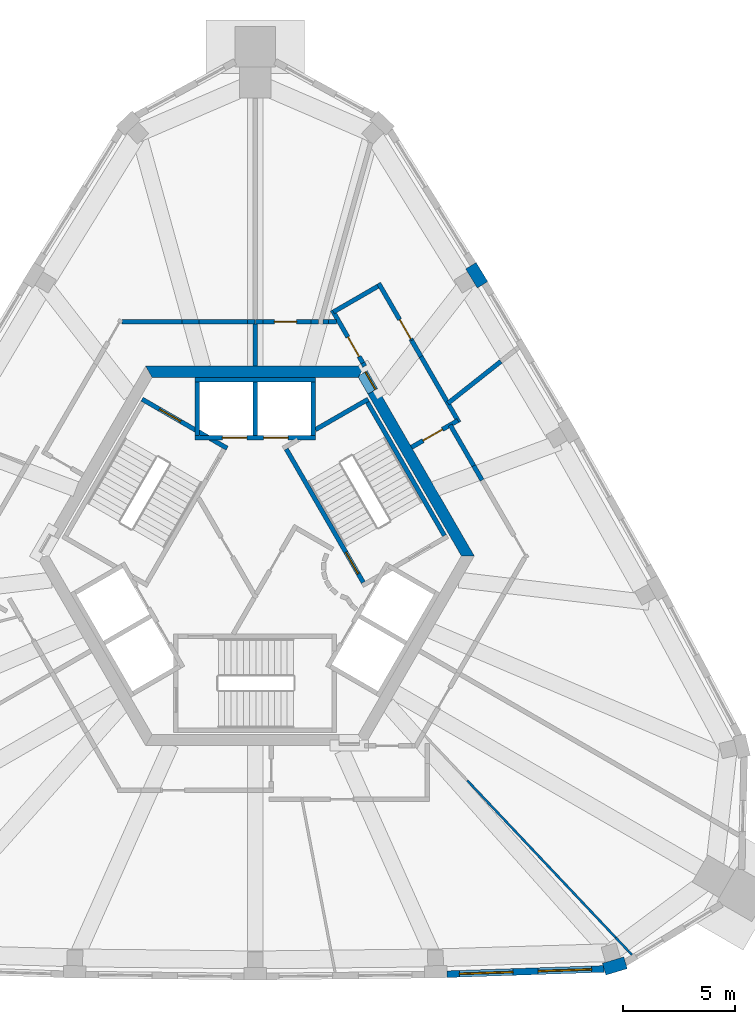
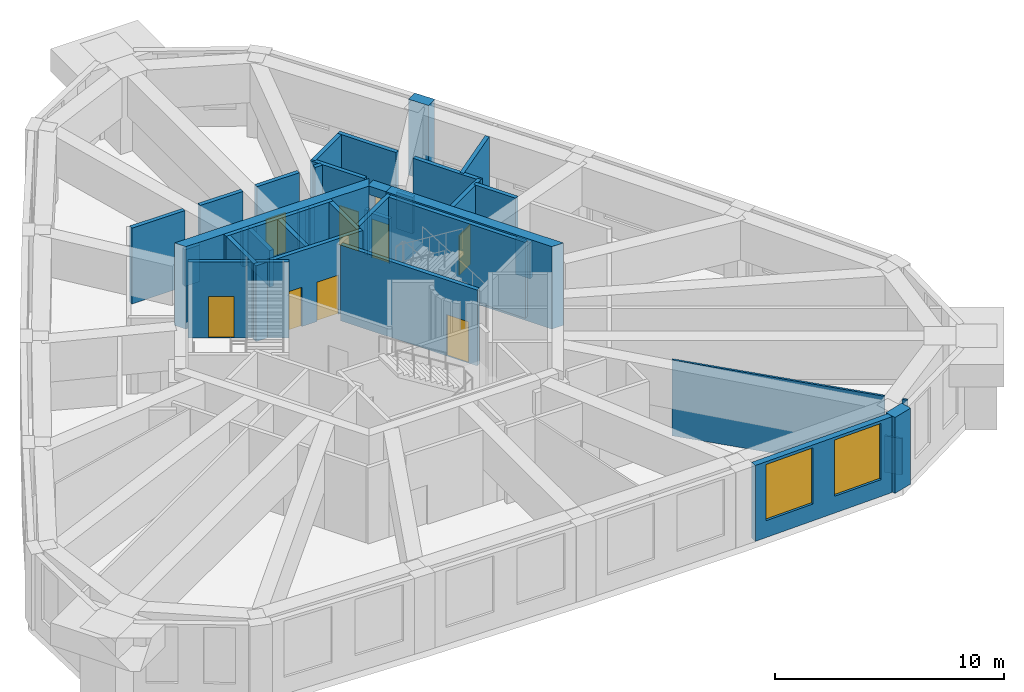
# One storey, part 5 of 9: 39 walls, 9 doors, 2 windows, 11 openings.
"""IFC4 building model written with IfcOpenShell, lengths in metres."""

from ifc_helpers import new_model, si_unit, direction, frame, frame_2d, origin, place, context, subcontext, project, spatial, polyline, rectangle, outline, extrude, material, layer, layer_set, type_object, element, fill, save


model = new_model("IFC4")

# Units and contexts
model_context = context("Model", 3, precision=1e-05, world=origin(), true_north=direction((0.0, 1.0)))
body_context = subcontext(model_context, "Body", "Model", "MODEL_VIEW")
ifc_project = project(units=[si_unit("LENGTHUNIT", "METRE"), si_unit("AREAUNIT", "SQUARE_METRE"), si_unit("VOLUMEUNIT", "CUBIC_METRE"), si_unit("PLANEANGLEUNIT", "RADIAN"), si_unit("MASSUNIT", "GRAM", prefix="KILO")], contexts=[model_context])

# Site, building, storey
site_placement = place(None, origin())
site = spatial("IfcSite", under=ifc_project, at=site_placement, CompositionType="ELEMENT")
building_placement = place(site_placement, origin())
building = spatial("IfcBuilding", under=site, at=building_placement, Name="Entoto Arch Interchange Tower", CompositionType="ELEMENT")
storey_placement = place(building_placement, frame((0.0, 0.0, 335.89990234375)))
storey = spatial("IfcBuildingStorey", under=building, at=storey_placement, Name="L79", CompositionType="ELEMENT", Elevation=335.89990234375)

# Wall, opening, door
ifc_material_1 = material(Name="Reinforced concrete C40/50", Category="concrete")
ifc_layer_1 = layer(ifc_material_1, 0.199951171875)
ifc_layer_set_1 = layer_set([ifc_layer_1], Name="Reinforced concrete C40/50")
wall_type_1 = type_object("IfcWallType", Name="CORE GAP INFILL WALL", PredefinedType="PARTITIONING", material=ifc_layer_set_1)
wall_1_placement = place(storey_placement, frame((5.39892578125, 9.947998046875, 0.0), z_axis=(0.0, 0.0, 1.0), x_axis=(-0.499882215713, 0.866093395895, 0.0)))
wall_1 = element("IfcWall", 1, at=wall_1_placement, inside=storey, type_object=wall_type_1, Name="wall:L79:gap2", PredefinedType="PARTITIONING", context=body_context, shape_type="SweptSolid", body=[
    extrude(rectangle(XDim=0.926025390625, YDim=0.199951171875, at=frame_2d((0.462890625, 0.0))), origin(), (0.0, 0.0, 1.0), 2.400146484375),
])
opening_1_placement = place(wall_1_placement, frame((0.01708984375, 0.0, 0.0)))
opening_1 = element("IfcOpeningElement", 2, at=opening_1_placement, cuts=wall_1, Name="Opening L79-D92", PredefinedType="OPENING", context=body_context, shape_type="SweptSolid", body=[
    extrude(rectangle(XDim=0.89990234375, YDim=2.10009765625, at=frame_2d((0.449951171875, 1.050048828125))), frame((0.0, 0.10986328125, 0.0), z_axis=(0.0, -1.0, 0.0), x_axis=(1.0, 0.0, 0.0)), (0.0, 0.0, 1.0), 0.219970703125),
])
ifc_material_2 = material(Name="Fire-rated Steel S235 door and frame", Category="steel")
door_type_1 = type_object("IfcDoorType", Name="DOOR FD-09 900x2100", OperationType="SINGLE_SWING_LEFT", PredefinedType="DOOR", material=ifc_material_2)
door_1_placement = place(opening_1_placement, origin())
door_1 = element("IfcDoor", 3, at=door_1_placement, inside=storey, type_object=door_type_1, Name="door:L79:gap2", OperationType="SINGLE_SWING_LEFT", OverallHeight=2.10009765625, OverallWidth=0.89990234375, PredefinedType="DOOR", context=body_context, shape_type="SweptSolid", body=[
    extrude(rectangle(XDim=0.89990234375, YDim=2.10009765625, at=frame_2d((0.449951171875, 1.050048828125))), frame((0.0, 0.02490234375, 0.0), z_axis=(0.0, -1.0, 0.0), x_axis=(1.0, 0.0, 0.0)), (0.0, 0.0, 1.0), 0.050048828125),
])
fill(opening_1, door_1)

# Walls
ifc_material_3 = material(Name="Concrete C40/50", Category="concrete")
ifc_layer_2 = layer(ifc_material_3, 0.5)
ifc_layer_set_2 = layer_set([ifc_layer_2], Name="Concrete C40/50")
wall_type_2 = type_object("IfcWallType", Name="Core wall 500 C40/50", PredefinedType="SHEAR", material=ifc_layer_set_2)
wall_2_placement = place(storey_placement, frame((0.0, 0.0, -0.349853515625)))
element("IfcWall", 4, at=wall_2_placement, inside=storey, type_object=wall_type_2, Name="Core wall NE L79", PredefinedType="SHEAR", context=body_context, shape_type="SweptSolid", body=[
    extrude(outline(polyline([(5.486083984375, 9.998046875), (5.052978515625, 9.748046875), (9.238037109375, 2.5), (9.81494140625, 2.5), (5.486083984375, 9.998046875)])), origin(), (0.0, 0.0, 1.0), 4.39990234375),
])
wall_3_placement = place(storey_placement, frame((0.0, 0.0, 3.60009765625)))
element("IfcWall", 5, at=wall_3_placement, inside=storey, type_object=wall_type_2, Name="Core wall lintel NE L79", PredefinedType="SHEAR", context=body_context, shape_type="SweptSolid", body=[
    extrude(outline(polyline([(5.02197265625, 10.800048828125), (4.677001953125, 10.60107421875), (4.618896484375, 10.5), (5.052978515625, 9.748046875), (5.486083984375, 9.998046875), (5.02197265625, 10.800048828125)])), origin(), (0.0, 0.0, 1.0), 0.449951171875),
])
wall_4_placement = place(storey_placement, frame((0.0, 0.0, -0.349853515625)))
element("IfcWall", 6, at=wall_4_placement, inside=storey, type_object=wall_type_2, Name="Core wall N L79", PredefinedType="SHEAR", context=body_context, shape_type="SweptSolid", body=[
    extrude(outline(polyline([(4.906982421875, 11.0), (-4.906982421875, 11.0), (-4.618896484375, 10.5), (4.618896484375, 10.5), (4.906982421875, 11.0)])), origin(), (0.0, 0.0, 1.0), 4.39990234375),
])

# Wall, openings, doors
ifc_layer_3 = layer(ifc_material_3, 0.199951171875)
ifc_layer_set_3 = layer_set([ifc_layer_3], Name="Concrete C40/50")
wall_type_3 = type_object("IfcWallType", Name="LIFT SHAFT WALL 200", PredefinedType="STANDARD", material=ifc_layer_set_3)
wall_5_placement = place(storey_placement, frame((2.699951171875, 7.800048828125, 0.0), z_axis=(0.0, 0.0, 1.0), x_axis=(-1.0, 0.0, 0.0)))
wall_5 = element("IfcWall", 7, at=wall_5_placement, inside=storey, type_object=wall_type_3, Name="Shaft wall N1 front", PredefinedType="STANDARD", context=body_context, shape_type="SweptSolid", body=[
    extrude(rectangle(XDim=5.39990234375, YDim=0.199951171875, at=frame_2d((2.699951171875, 0.0))), origin(), (0.0, 0.0, 1.0), 4.050048828125),
])
opening_2_placement = place(wall_5_placement, frame((1.22509765625, 0.0, 0.0)))
opening_2 = element("IfcOpeningElement", 8, at=opening_2_placement, cuts=wall_5, Name="Opening LD-HR1-L79", PredefinedType="OPENING", context=body_context, shape_type="SweptSolid", body=[
    extrude(rectangle(XDim=1.10009765625, YDim=2.10009765625, at=frame_2d((0.550048828125, 1.050048828125))), frame((0.0, 0.10986328125, 0.0), z_axis=(0.0, -1.0, 0.0), x_axis=(1.0, 0.0, 0.0)), (0.0, 0.0, 1.0), 0.219970703125),
])
opening_3_placement = place(wall_5_placement, frame((3.074951171875, 0.0, 0.0)))
opening_3 = element("IfcOpeningElement", 9, at=opening_3_placement, cuts=wall_5, Name="Opening LD-HR2-L79", PredefinedType="OPENING", context=body_context, shape_type="SweptSolid", body=[
    extrude(rectangle(XDim=1.10009765625, YDim=2.10009765625, at=frame_2d((0.550048828125, 1.050048828125))), frame((0.0, 0.10986328125, 0.0), z_axis=(0.0, -1.0, 0.0), x_axis=(1.0, 0.0, 0.0)), (0.0, 0.0, 1.0), 0.219970703125),
])
ifc_material_4 = material(Name="Stainless steel 1.4301 panels", Category="steel")
door_type_2 = type_object("IfcDoorType", Name="LIFT LANDING DOOR LD1 1100x2100", OperationType="SLIDING_TO_LEFT", PredefinedType="DOOR", material=ifc_material_4)
door_2_placement = place(opening_2_placement, origin())
door_2 = element("IfcDoor", 10, at=door_2_placement, inside=storey, type_object=door_type_2, Name="Lift landing door HR1 L79", OperationType="SLIDING_TO_LEFT", OverallHeight=2.10009765625, OverallWidth=1.10009765625, PredefinedType="DOOR", context=body_context, shape_type="SweptSolid", body=[
    extrude(rectangle(XDim=1.10009765625, YDim=2.10009765625, at=frame_2d((0.550048828125, 1.050048828125))), frame((0.0, 0.02490234375, 0.0), z_axis=(0.0, -1.0, 0.0), x_axis=(1.0, 0.0, 0.0)), (0.0, 0.0, 1.0), 0.050048828125),
])
fill(opening_2, door_2)
door_3_placement = place(opening_3_placement, origin())
door_3 = element("IfcDoor", 11, at=door_3_placement, inside=storey, type_object=door_type_2, Name="Lift landing door HR2 L79", OperationType="SLIDING_TO_LEFT", OverallHeight=2.10009765625, OverallWidth=1.10009765625, PredefinedType="DOOR", context=body_context, shape_type="SweptSolid", body=[
    extrude(rectangle(XDim=1.10009765625, YDim=2.10009765625, at=frame_2d((0.550048828125, 1.050048828125))), frame((0.0, 0.02490234375, 0.0), z_axis=(0.0, -1.0, 0.0), x_axis=(1.0, 0.0, 0.0)), (0.0, 0.0, 1.0), 0.050048828125),
])
fill(opening_3, door_3)

# Walls
wall_6_placement = place(storey_placement, frame((2.699951171875, 10.39990234375, 0.0), z_axis=(0.0, 0.0, 1.0), x_axis=(-1.0, 0.0, 0.0)))
element("IfcWall", 12, at=wall_6_placement, inside=storey, type_object=wall_type_3, Name="Shaft wall N1 back", PredefinedType="STANDARD", context=body_context, shape_type="SweptSolid", body=[
    extrude(rectangle(XDim=5.39990234375, YDim=0.199951171875, at=frame_2d((2.699951171875, 0.0))), origin(), (0.0, 0.0, 1.0), 4.050048828125),
])
for number, where, z_axis, x_axis, name in (
    (13, (2.60009765625, 7.89990234375, 0.0), (0.0, 0.0, 1.0), (0.0, 1.0, 0.0), "Shaft wall N1 cross 1"),
    (14, (0.0, 7.89990234375, 0.0), (0.0, 0.0, 1.0), (0.0, 1.0, 0.0), "Shaft wall N1 cross 2"),
    (15, (-2.60009765625, 7.89990234375, 0.0), (0.0, 0.0, 1.0), (0.0, 1.0, 0.0), "Shaft wall N1 cross 3"),
):
    element("IfcWall", number, at=place(storey_placement, frame(where, z_axis=z_axis, x_axis=x_axis)), inside=storey, type_object=wall_type_3, Name=name, PredefinedType="STANDARD", context=body_context, shape_type="SweptSolid", body=[
        extrude(rectangle(XDim=2.400146484375, YDim=0.199951171875, at=frame_2d((1.2001953125, 0.0))), origin(), (0.0, 0.0, 1.0), 4.050048828125),
    ])
ifc_material_5 = material(Name="Gypsum board partition on steel studs", Category="steel")
ifc_layer_4 = layer(ifc_material_5, 0.10009765625)
ifc_layer_set_4 = layer_set([ifc_layer_4], Name="Gypsum board partition on steel studs")
wall_type_4 = type_object("IfcWallType", Name="PARTITION 100", PredefinedType="PARTITIONING", material=ifc_layer_set_4)
wall_7_placement = place(storey_placement, frame((9.501953125, -7.56103515625, 0.0), z_axis=(0.0, 0.0, 1.0), x_axis=(0.686701951344, -0.726939082744, 0.0)))
element("IfcWall", 16, at=wall_7_placement, inside=storey, type_object=wall_type_4, Name="wall:L79:p024", PredefinedType="PARTITIONING", context=body_context, shape_type="SweptSolid", body=[
    extrude(rectangle(XDim=9.68994140625, YDim=0.10009765625, at=frame_2d((4.844970703125, 0.0))), origin(), (0.0, 0.0, 1.0), 4.050048828125),
])
wall_8_placement = place(storey_placement, frame((16.156005859375, -14.60498046875, 0.0), z_axis=(0.0, 0.0, 1.0), x_axis=(0.686649854496, -0.726988292423, 0.0)))
element("IfcWall", 17, at=wall_8_placement, inside=storey, type_object=wall_type_4, Name="wall:L79:p024", PredefinedType="PARTITIONING", context=body_context, shape_type="SweptSolid", body=[
    extrude(rectangle(XDim=0.817138671875, YDim=0.10009765625, at=frame_2d((0.40869140625, 0.0))), origin(), (0.0, 0.0, 1.0), 1.9501953125),
])
wall_9_placement = place(storey_placement, frame((16.717041015625, -15.198974609375, 0.0), z_axis=(0.0, 0.0, 1.0), x_axis=(0.684943115963, -0.728596546722, 0.0)))
element("IfcWall", 18, at=wall_9_placement, inside=storey, type_object=wall_type_4, Name="wall:L79:p024", PredefinedType="PARTITIONING", context=body_context, shape_type="SweptSolid", body=[
    extrude(rectangle(XDim=0.23486328125, YDim=0.10009765625, at=frame_2d((0.117431640625, 0.0))), origin(), (0.0, 0.0, 1.0), 4.050048828125),
])

# Wall, opening, door
ifc_layer_5 = layer(ifc_material_5, 0.199951171875)
ifc_layer_set_5 = layer_set([ifc_layer_5], Name="Gypsum board partition on steel studs")
wall_type_5 = type_object("IfcWallType", Name="PARTITION 200", PredefinedType="PARTITIONING", material=ifc_layer_set_5)
wall_10_placement = place(storey_placement, frame((9.08203125, 8.568115234375, 0.0), z_axis=(0.0, 0.0, 1.0), x_axis=(-0.865955154139, -0.50012165622, 0.0)))
wall_10 = element("IfcWall", 19, at=wall_10_placement, inside=storey, type_object=wall_type_5, Name="wall:L79:p027", PredefinedType="PARTITIONING", context=body_context, shape_type="SweptSolid", body=[
    extrude(rectangle(XDim=2.39990234375, YDim=0.199951171875, at=frame_2d((1.199951171875, 0.0))), origin(), (0.0, 0.0, 1.0), 4.050048828125),
])
opening_4_placement = place(wall_10_placement, frame((0.800048828125, 0.0, 0.0)))
opening_4 = element("IfcOpeningElement", 20, at=opening_4_placement, cuts=wall_10, Name="Opening L79-D06", PredefinedType="OPENING", context=body_context, shape_type="SweptSolid", body=[
    extrude(rectangle(XDim=1.0, YDim=2.10009765625, at=frame_2d((0.5, 1.050048828125))), frame((0.0, 0.10986328125, 0.0), z_axis=(0.0, -1.0, 0.0), x_axis=(1.0, 0.0, 0.0)), (0.0, 0.0, 1.0), 0.219970703125),
])
door_type_3 = type_object("IfcDoorType", Name="DOOR FD-10 1000x2100", OperationType="SINGLE_SWING_LEFT", PredefinedType="DOOR", material=ifc_material_2)
door_4_placement = place(opening_4_placement, origin())
door_4 = element("IfcDoor", 21, at=door_4_placement, inside=storey, type_object=door_type_3, Name="door:L79:06", OperationType="SINGLE_SWING_LEFT", OverallHeight=2.10009765625, OverallWidth=1.0, PredefinedType="DOOR", context=body_context, shape_type="SweptSolid", body=[
    extrude(rectangle(XDim=1.0, YDim=2.10009765625, at=frame_2d((0.5, 1.050048828125))), frame((0.0, 0.02490234375, 0.0), z_axis=(0.0, -1.0, 0.0), x_axis=(1.0, 0.0, 0.0)), (0.0, 0.0, 1.0), 0.050048828125),
])
fill(opening_4, door_4)

# Wall
wall_11_placement = place(storey_placement, frame((4.906982421875, 11.0, 0.0), z_axis=(0.0, 0.0, 1.0), x_axis=(-0.5004692653, 0.865754303766, 0.0)))
element("IfcWall", 22, at=wall_11_placement, inside=storey, type_object=wall_type_5, Name="wall:L79:p028", PredefinedType="PARTITIONING", context=body_context, shape_type="SweptSolid", body=[
    extrude(rectangle(XDim=0.169677734375, YDim=0.199951171875, at=frame_2d((0.0849609375, 0.0))), origin(), (0.0, 0.0, 1.0), 2.400146484375),
])

# Wall, opening, door
wall_12_placement = place(storey_placement, frame((5.531982421875, 14.717041015625, 0.0), z_axis=(0.0, 0.0, 1.0), x_axis=(0.499955822529, -0.866050908157, 0.0)))
wall_12 = element("IfcWall", 23, at=wall_12_placement, inside=storey, type_object=wall_type_5, Name="wall:L79:p029", PredefinedType="PARTITIONING", context=body_context, shape_type="SweptSolid", body=[
    extrude(rectangle(XDim=2.958251953125, YDim=0.199951171875, at=frame_2d((1.47900390625, 0.0))), origin(), (0.0, 0.0, 1.0), 4.050048828125),
])
opening_5_placement = place(wall_12_placement, frame((1.8798828125, 0.0, 0.0)))
opening_5 = element("IfcOpeningElement", 24, at=opening_5_placement, cuts=wall_12, Name="Opening L79-D08", PredefinedType="OPENING", context=body_context, shape_type="SweptSolid", body=[
    extrude(rectangle(XDim=1.0, YDim=2.10009765625, at=frame_2d((0.5, 1.050048828125))), frame((0.0, 0.10986328125, 0.0), z_axis=(0.0, -1.0, 0.0), x_axis=(1.0, 0.0, 0.0)), (0.0, 0.0, 1.0), 0.219970703125),
])
door_5_placement = place(opening_5_placement, origin())
door_5 = element("IfcDoor", 25, at=door_5_placement, inside=storey, type_object=door_type_3, Name="door:L79:08", OperationType="SINGLE_SWING_LEFT", OverallHeight=2.10009765625, OverallWidth=1.0, PredefinedType="DOOR", context=body_context, shape_type="SweptSolid", body=[
    extrude(rectangle(XDim=1.0, YDim=2.10009765625, at=frame_2d((0.5, 1.050048828125))), frame((0.0, 0.02490234375, 0.0), z_axis=(0.0, -1.0, 0.0), x_axis=(1.0, 0.0, 0.0)), (0.0, 0.0, 1.0), 0.050048828125),
])
fill(opening_5, door_5)

# Walls
wall_13_placement = place(storey_placement, frame((3.50390625, 13.429931640625, 0.0), z_axis=(0.0, 0.0, 1.0), x_axis=(0.865927408828, 0.500169693844, 0.0)))
element("IfcWall", 26, at=wall_13_placement, inside=storey, type_object=wall_type_5, Name="wall:L79:p030", PredefinedType="PARTITIONING", context=body_context, shape_type="SweptSolid", body=[
    extrude(rectangle(XDim=2.299560546875, YDim=0.199951171875, at=frame_2d((1.14990234375, 0.0))), origin(), (0.0, 0.0, 1.0), 4.050048828125),
])
wall_14_placement = place(storey_placement, frame((8.736083984375, 8.367919921875, 0.0), z_axis=(0.0, 0.0, 1.0), x_axis=(0.500206302225, -0.865906262372, 0.0)))
element("IfcWall", 27, at=wall_14_placement, inside=storey, type_object=wall_type_5, Name="wall:L79:p031", PredefinedType="PARTITIONING", context=body_context, shape_type="SweptSolid", body=[
    extrude(rectangle(XDim=2.11083984375, YDim=0.199951171875, at=frame_2d((1.055419921875, 0.0))), origin(), (0.0, 0.0, 1.0), 4.050048828125),
])
wall_15_placement = place(storey_placement, frame((3.0380859375, 13.0, 0.0), z_axis=(0.0, 0.0, 1.0), x_axis=(1.0, 0.0, 0.0)))
element("IfcWall", 28, at=wall_15_placement, inside=storey, type_object=wall_type_5, Name="wall:L79:p033", PredefinedType="PARTITIONING", context=body_context, shape_type="SweptSolid", body=[
    extrude(rectangle(XDim=0.2509765625, YDim=0.199951171875, at=frame_2d((0.12548828125, 0.0))), origin(), (0.0, 0.0, 1.0), 1.9501953125),
])
wall_16_placement = place(storey_placement, frame((0.014892578125, 13.0, 0.0), z_axis=(0.0, 0.0, 1.0), x_axis=(1.0, 0.0, 0.0)))
element("IfcWall", 29, at=wall_16_placement, inside=storey, type_object=wall_type_5, Name="wall:L79:p034", PredefinedType="PARTITIONING", context=body_context, shape_type="SweptSolid", body=[
    extrude(rectangle(XDim=0.335205078125, YDim=0.199951171875, at=frame_2d((0.16748046875, 0.0))), origin(), (0.0, 0.0, 1.0), 1.9501953125),
])
wall_17_placement = place(storey_placement, frame((0.0, 11.0, 0.0), z_axis=(0.0, 0.0, 1.0), x_axis=(0.0, 1.0, 0.0)))
element("IfcWall", 30, at=wall_17_placement, inside=storey, type_object=wall_type_5, Name="wall:L79:p035", PredefinedType="PARTITIONING", context=body_context, shape_type="SweptSolid", body=[
    extrude(rectangle(XDim=1.89990234375, YDim=0.199951171875, at=frame_2d((0.949951171875, 0.0))), origin(), (0.0, 0.0, 1.0), 1.9501953125),
])
wall_18_placement = place(storey_placement, frame((-5.9619140625, 13.0, 0.0), z_axis=(0.0, 0.0, 1.0), x_axis=(1.0, 0.0, 0.0)))
element("IfcWall", 31, at=wall_18_placement, inside=storey, type_object=wall_type_5, Name="wall:L79:p046", PredefinedType="PARTITIONING", context=body_context, shape_type="SweptSolid", body=[
    extrude(rectangle(XDim=2.6728515625, YDim=0.199951171875, at=frame_2d((1.33642578125, 0.0))), origin(), (0.0, 0.0, 1.0), 4.050048828125),
])

# Wall, opening, door
wall_19_placement = place(storey_placement, frame((4.822021484375, 11.14697265625, 0.0), z_axis=(0.0, 0.0, 1.0), x_axis=(-0.499871764879, 0.866099427708, 0.0)))
wall_19 = element("IfcWall", 32, at=wall_19_placement, inside=storey, type_object=wall_type_5, Name="wall:L79:p028", PredefinedType="PARTITIONING", context=body_context, shape_type="SweptSolid", body=[
    extrude(rectangle(XDim=2.736572265625, YDim=0.199951171875, at=frame_2d((1.3681640625, 0.0))), origin(), (0.0, 0.0, 1.0), 4.050048828125),
])
opening_6_placement = place(wall_19_placement, frame((0.3349609375, 0.0, 0.0)))
opening_6 = element("IfcOpeningElement", 33, at=opening_6_placement, cuts=wall_19, Name="Opening L79-D07", PredefinedType="OPENING", context=body_context, shape_type="SweptSolid", body=[
    extrude(rectangle(XDim=1.0, YDim=2.10009765625, at=frame_2d((0.5, 1.050048828125))), frame((0.0, 0.10986328125, 0.0), z_axis=(0.0, -1.0, 0.0), x_axis=(1.0, 0.0, 0.0)), (0.0, 0.0, 1.0), 0.219970703125),
])
door_6_placement = place(opening_6_placement, origin())
door_6 = element("IfcDoor", 34, at=door_6_placement, inside=storey, type_object=door_type_3, Name="door:L79:07", OperationType="SINGLE_SWING_RIGHT", OverallHeight=2.10009765625, OverallWidth=1.0, PredefinedType="DOOR", context=body_context, shape_type="SweptSolid", body=[
    extrude(rectangle(XDim=1.0, YDim=2.10009765625, at=frame_2d((0.5, 1.050048828125))), frame((0.0, 0.02490234375, 0.0), z_axis=(0.0, -1.0, 0.0), x_axis=(1.0, 0.0, 0.0)), (0.0, 0.0, 1.0), 0.050048828125),
])
fill(opening_6, door_6)

# Walls
wall_20_placement = place(storey_placement, frame((7.010986328125, 12.155029296875, 0.0), z_axis=(0.0, 0.0, 1.0), x_axis=(0.499772878723, -0.866156492612, 0.0)))
element("IfcWall", 35, at=wall_20_placement, inside=storey, type_object=wall_type_5, Name="wall:L79:p029", PredefinedType="PARTITIONING", context=body_context, shape_type="SweptSolid", body=[
    extrude(rectangle(XDim=0.83837890625, YDim=0.199951171875, at=frame_2d((0.419189453125, 0.0))), origin(), (0.0, 0.0, 1.0), 1.9501953125),
])
wall_21_placement = place(storey_placement, frame((7.429931640625, 11.428955078125, 0.0), z_axis=(0.0, 0.0, 1.0), x_axis=(0.500026652407, -0.866010015463, 0.0)))
element("IfcWall", 36, at=wall_21_placement, inside=storey, type_object=wall_type_5, Name="wall:L79:p029", PredefinedType="PARTITIONING", context=body_context, shape_type="SweptSolid", body=[
    extrude(rectangle(XDim=3.404052734375, YDim=0.199951171875, at=frame_2d((1.7021484375, 0.0))), origin(), (0.0, 0.0, 1.0), 4.050048828125),
])
wall_22_placement = place(storey_placement, frame((9.7919921875, 6.5400390625, 0.0), z_axis=(0.0, 0.0, 1.0), x_axis=(0.49924847323, -0.866458863408, 0.0)))
element("IfcWall", 37, at=wall_22_placement, inside=storey, type_object=wall_type_5, Name="wall:L79:p031", PredefinedType="PARTITIONING", context=body_context, shape_type="SweptSolid", body=[
    extrude(rectangle(XDim=0.743408203125, YDim=0.199951171875, at=frame_2d((0.37158203125, 0.0))), origin(), (0.0, 0.0, 1.0), 1.9501953125),
])
wall_23_placement = place(storey_placement, frame((3.2890625, 13.0, 0.0), z_axis=(0.0, 0.0, 1.0), x_axis=(1.0, 0.0, 0.0)))
element("IfcWall", 38, at=wall_23_placement, inside=storey, type_object=wall_type_5, Name="wall:L79:p033", PredefinedType="PARTITIONING", context=body_context, shape_type="SweptSolid", body=[
    extrude(rectangle(XDim=0.363037109375, YDim=0.199951171875, at=frame_2d((0.181640625, 0.0))), origin(), (0.0, 0.0, 1.0), 4.050048828125),
])

# Wall, opening, door
wall_24_placement = place(storey_placement, frame((0.35009765625, 13.0, 0.0), z_axis=(0.0, 0.0, 1.0), x_axis=(1.0, 0.0, 0.0)))
wall_24 = element("IfcWall", 39, at=wall_24_placement, inside=storey, type_object=wall_type_5, Name="wall:L79:p034", PredefinedType="PARTITIONING", context=body_context, shape_type="SweptSolid", body=[
    extrude(rectangle(XDim=2.156982421875, YDim=0.199951171875, at=frame_2d((1.07861328125, 0.0))), origin(), (0.0, 0.0, 1.0), 4.050048828125),
])
opening_7_placement = place(wall_24_placement, frame((0.509033203125, 0.0, 0.0)))
opening_7 = element("IfcOpeningElement", 40, at=opening_7_placement, cuts=wall_24, Name="Opening L79-D10", PredefinedType="OPENING", context=body_context, shape_type="SweptSolid", body=[
    extrude(rectangle(XDim=1.0, YDim=2.10009765625, at=frame_2d((0.5, 1.050048828125))), frame((0.0, 0.10986328125, 0.0), z_axis=(0.0, -1.0, 0.0), x_axis=(1.0, 0.0, 0.0)), (0.0, 0.0, 1.0), 0.219970703125),
])
ifc_material_6 = material(Name="Timber door leaf in Steel S235 frame", Category="steel")
door_type_4 = type_object("IfcDoorType", Name="DOOR DS-10 1000x2100", OperationType="SINGLE_SWING_LEFT", PredefinedType="DOOR", material=ifc_material_6)
door_7_placement = place(opening_7_placement, origin())
door_7 = element("IfcDoor", 41, at=door_7_placement, inside=storey, type_object=door_type_4, Name="door:L79:10", OperationType="SINGLE_SWING_LEFT", OverallHeight=2.10009765625, OverallWidth=1.0, PredefinedType="DOOR", context=body_context, shape_type="SweptSolid", body=[
    extrude(rectangle(XDim=1.0, YDim=2.10009765625, at=frame_2d((0.5, 1.050048828125))), frame((0.0, 0.02490234375, 0.0), z_axis=(0.0, -1.0, 0.0), x_axis=(1.0, 0.0, 0.0)), (0.0, 0.0, 1.0), 0.050048828125),
])
fill(opening_7, door_7)

# Walls
wall_25_placement = place(storey_placement, frame((2.507080078125, 13.0, 0.0), z_axis=(0.0, 0.0, 1.0), x_axis=(1.0, 0.0, 0.0)))
element("IfcWall", 42, at=wall_25_placement, inside=storey, type_object=wall_type_5, Name="wall:L79:p034", PredefinedType="PARTITIONING", context=body_context, shape_type="SweptSolid", body=[
    extrude(rectangle(XDim=0.330810546875, YDim=0.199951171875, at=frame_2d((0.16552734375, 0.0))), origin(), (0.0, 0.0, 1.0), 1.9501953125),
])
wall_26_placement = place(storey_placement, frame((11.007080078125, 11.215087890625, 0.0), z_axis=(0.0, 0.0, 1.0), x_axis=(-0.784104781382, -0.620628465198, 0.0)))
element("IfcWall", 43, at=wall_26_placement, inside=storey, type_object=wall_type_5, Name="wall:L79:p036", PredefinedType="PARTITIONING", context=body_context, shape_type="SweptSolid", body=[
    extrude(rectangle(XDim=3.022705078125, YDim=0.199951171875, at=frame_2d((1.51123046875, 0.0))), origin(), (0.0, 0.0, 1.0), 4.050048828125),
])
wall_27_placement = place(storey_placement, frame((-3.2890625, 13.0, 0.0), z_axis=(0.0, 0.0, 1.0), x_axis=(1.0, 0.0, 0.0)))
element("IfcWall", 44, at=wall_27_placement, inside=storey, type_object=wall_type_5, Name="wall:L79:p046", PredefinedType="PARTITIONING", context=body_context, shape_type="SweptSolid", body=[
    extrude(rectangle(XDim=0.781982421875, YDim=0.199951171875, at=frame_2d((0.39111328125, 0.0))), origin(), (0.0, 0.0, 1.0), 1.9501953125),
])
wall_28_placement = place(storey_placement, frame((-2.507080078125, 13.0, 0.0), z_axis=(0.0, 0.0, 1.0), x_axis=(1.0, 0.0, 0.0)))
element("IfcWall", 45, at=wall_28_placement, inside=storey, type_object=wall_type_5, Name="wall:L79:p046", PredefinedType="PARTITIONING", context=body_context, shape_type="SweptSolid", body=[
    extrude(rectangle(XDim=2.156982421875, YDim=0.199951171875, at=frame_2d((1.07861328125, 0.0))), origin(), (0.0, 0.0, 1.0), 4.050048828125),
])
wall_29_placement = place(storey_placement, frame((-0.35009765625, 13.0, 0.0), z_axis=(0.0, 0.0, 1.0), x_axis=(1.0, 0.0, 0.0)))
element("IfcWall", 46, at=wall_29_placement, inside=storey, type_object=wall_type_5, Name="wall:L79:p046", PredefinedType="PARTITIONING", context=body_context, shape_type="SweptSolid", body=[
    extrude(rectangle(XDim=0.335205078125, YDim=0.199951171875, at=frame_2d((0.16748046875, 0.0))), origin(), (0.0, 0.0, 1.0), 1.9501953125),
])
ifc_layer_6 = layer(ifc_material_3, 0.199951171875)
ifc_layer_set_6 = layer_set([ifc_layer_6], Name="Concrete C40/50")
wall_type_6 = type_object("IfcWallType", Name="STAIR ENCLOSURE WALL 200", PredefinedType="STANDARD", material=ifc_layer_set_6)
wall_30_placement = place(storey_placement, frame((2.699951171875, 8.157958984375, 0.0), z_axis=(0.0, 0.0, 1.0), x_axis=(0.86611865017, 0.499838457731, 0.0)))
element("IfcWall", 47, at=wall_30_placement, inside=storey, type_object=wall_type_6, Name="Stair wall ST-NE far", PredefinedType="STANDARD", context=body_context, shape_type="SweptSolid", body=[
    extrude(rectangle(XDim=2.73291015625, YDim=0.199951171875, at=frame_2d((1.366455078125, 0.0))), origin(), (0.0, 0.0, 1.0), 4.050048828125),
])

# Wall, opening, door
wall_31_placement = place(storey_placement, frame((4.843017578125, 1.31201171875, 0.0), z_axis=(0.0, 0.0, 1.0), x_axis=(-0.499963383562, 0.866046543262, 0.0)))
wall_31 = element("IfcWall", 48, at=wall_31_placement, inside=storey, type_object=wall_type_6, Name="Stair wall ST-NE hall", PredefinedType="STANDARD", context=body_context, shape_type="SweptSolid", body=[
    extrude(rectangle(XDim=6.900390625, YDim=0.199951171875, at=frame_2d((3.4501953125, 0.0))), origin(), (0.0, 0.0, 1.0), 4.050048828125),
])
opening_8_placement = place(wall_31_placement, frame((0.449951171875, 0.0, 0.0)))
opening_8 = element("IfcOpeningElement", 49, at=opening_8_placement, cuts=wall_31, Name="Opening SD-ST-NE-L79", PredefinedType="OPENING", context=body_context, shape_type="SweptSolid", body=[
    extrude(rectangle(XDim=1.10009765625, YDim=2.199951171875, at=frame_2d((0.550048828125, 1.10009765625))), frame((0.0, 0.10986328125, 0.0), z_axis=(0.0, -1.0, 0.0), x_axis=(1.0, 0.0, 0.0)), (0.0, 0.0, 1.0), 0.219970703125),
])
ifc_material_7 = material(Name="Steel S235", Category="steel")
door_type_5 = type_object("IfcDoorType", Name="STAIR DOOR SD1 1100x2200", OperationType="SINGLE_SWING_LEFT", PredefinedType="DOOR", material=ifc_material_7)
door_8_placement = place(opening_8_placement, origin())
door_8 = element("IfcDoor", 50, at=door_8_placement, inside=storey, type_object=door_type_5, Name="Stair door ST-NE L79", OperationType="SINGLE_SWING_LEFT", OverallHeight=2.199951171875, OverallWidth=1.10009765625, PredefinedType="DOOR", context=body_context, shape_type="SweptSolid", body=[
    extrude(rectangle(XDim=1.10009765625, YDim=2.199951171875, at=frame_2d((0.550048828125, 1.10009765625))), frame((0.0, 0.02490234375, 0.0), z_axis=(0.0, -1.0, 0.0), x_axis=(1.0, 0.0, 0.0)), (0.0, 0.0, 1.0), 0.050048828125),
])
fill(opening_8, door_8)

# Wall
wall_32_placement = place(storey_placement, frame((8.47998046875, 3.412109375, 0.0), z_axis=(0.0, 0.0, 1.0), x_axis=(-0.499978703459, 0.866037698999, 0.0)))
element("IfcWall", 51, at=wall_32_placement, inside=storey, type_object=wall_type_6, Name="Stair wall ST-NE back", PredefinedType="STANDARD", context=body_context, shape_type="SweptSolid", body=[
    extrude(rectangle(XDim=6.900146484375, YDim=0.199951171875, at=frame_2d((3.4501953125, 0.0))), origin(), (0.0, 0.0, 1.0), 4.050048828125),
])

# Wall, opening, door
wall_33_placement = place(storey_placement, frame((-1.256103515625, 7.323974609375, 0.0), z_axis=(0.0, 0.0, 1.0), x_axis=(-0.866046073146, 0.499964197906, 0.0)))
wall_33 = element("IfcWall", 52, at=wall_33_placement, inside=storey, type_object=wall_type_6, Name="Stair wall ST-NW near", PredefinedType="STANDARD", context=body_context, shape_type="SweptSolid", body=[
    extrude(rectangle(XDim=4.400146484375, YDim=0.199951171875, at=frame_2d((2.2001953125, 0.0))), origin(), (0.0, 0.0, 1.0), 4.050048828125),
])
opening_9_placement = place(wall_33_placement, frame((2.39990234375, 0.0, 0.0)))
opening_9 = element("IfcOpeningElement", 53, at=opening_9_placement, cuts=wall_33, Name="Opening SD-ST-NW-L79-E", PredefinedType="OPENING", context=body_context, shape_type="SweptSolid", body=[
    extrude(rectangle(XDim=1.10009765625, YDim=2.199951171875, at=frame_2d((0.550048828125, 1.10009765625))), frame((0.0, 0.10986328125, 0.0), z_axis=(0.0, -1.0, 0.0), x_axis=(1.0, 0.0, 0.0)), (0.0, 0.0, 1.0), 0.219970703125),
])
door_9_placement = place(opening_9_placement, origin())
door_9 = element("IfcDoor", 54, at=door_9_placement, inside=storey, type_object=door_type_5, Name="Stair door ST-NW L79 end", OperationType="SINGLE_SWING_LEFT", OverallHeight=2.199951171875, OverallWidth=1.10009765625, PredefinedType="DOOR", context=body_context, shape_type="SweptSolid", body=[
    extrude(rectangle(XDim=1.10009765625, YDim=2.199951171875, at=frame_2d((0.550048828125, 1.10009765625))), frame((0.0, 0.02490234375, 0.0), z_axis=(0.0, -1.0, 0.0), x_axis=(1.0, 0.0, 0.0)), (0.0, 0.0, 1.0), 0.050048828125),
])
fill(opening_9, door_9)

# Wall, openings, windows
ifc_material_8 = material(Name="Welded tuff (ignimbrite) cladding, warm buff", Category="masonry")
ifc_layer_7 = layer(ifc_material_8, 0.300048828125)
ifc_layer_set_7 = layer_set([ifc_layer_7], Name="Welded tuff (ignimbrite) cladding, warm buff")
wall_type_7 = type_object("IfcWallType", Name="STONE INFILL WALL 300", PredefinedType="STANDARD", material=ifc_layer_set_7)
wall_34_placement = place(storey_placement, frame((8.592041015625, -16.241943359375, 0.0), z_axis=(0.0, 0.0, 1.0), x_axis=(0.999433696929, 0.033649449366, 0.0)))
wall_34 = element("IfcWall", 55, at=wall_34_placement, inside=storey, type_object=wall_type_7, Name="Facade wall S-04 L79", PredefinedType="STANDARD", context=body_context, shape_type="SweptSolid", body=[
    extrude(rectangle(XDim=7.044921875, YDim=0.300048828125, at=frame_2d((3.5224609375, 0.0))), origin(), (0.0, 0.0, 1.0), 4.050048828125),
])
opening_10_placement = place(wall_34_placement, frame((0.56103515625, 0.0, 0.89990234375)))
opening_10 = element("IfcOpeningElement", 56, at=opening_10_placement, cuts=wall_34, Name="Opening WK-A", PredefinedType="OPENING", context=body_context, shape_type="SweptSolid", body=[
    extrude(rectangle(XDim=2.39990234375, YDim=3.0, at=frame_2d((1.199951171875, 1.5))), frame((0.0, 0.16015625, 0.0), z_axis=(0.0, -1.0, 0.0), x_axis=(1.0, 0.0, 0.0)), (0.0, 0.0, 1.0), 0.320068359375),
])
opening_11_placement = place(wall_34_placement, frame((4.083984375, 0.0, 0.89990234375)))
opening_11 = element("IfcOpeningElement", 57, at=opening_11_placement, cuts=wall_34, Name="Opening WK-A", PredefinedType="OPENING", context=body_context, shape_type="SweptSolid", body=[
    extrude(rectangle(XDim=2.39990234375, YDim=3.0, at=frame_2d((1.199951171875, 1.5))), frame((0.0, 0.16015625, 0.0), z_axis=(0.0, -1.0, 0.0), x_axis=(1.0, 0.0, 0.0)), (0.0, 0.0, 1.0), 0.320068359375),
])
ifc_material_9 = material(Name="Clear glass, low-e double glazed", Category="glass")
window_type = type_object("IfcWindowType", Name="WINDOW WK-A 2400x3000", PartitioningType="DOUBLE_PANEL_VERTICAL", PredefinedType="WINDOW", material=ifc_material_9)
window_1_placement = place(opening_10_placement, origin())
window_1 = element("IfcWindow", 58, at=window_1_placement, inside=storey, type_object=window_type, Name="Window WK-A S-04 L79", OverallHeight=3.0, OverallWidth=2.39990234375, PartitioningType="SINGLE_PANEL", PredefinedType="WINDOW", context=body_context, shape_type="SweptSolid", body=[
    extrude(rectangle(XDim=2.39990234375, YDim=3.0, at=frame_2d((1.199951171875, 1.5))), frame((0.0, 0.030029296875, 0.0), z_axis=(0.0, -1.0, 0.0), x_axis=(1.0, 0.0, 0.0)), (0.0, 0.0, 1.0), 0.06005859375),
])
fill(opening_10, window_1)
window_2_placement = place(opening_11_placement, origin())
window_2 = element("IfcWindow", 59, at=window_2_placement, inside=storey, type_object=window_type, Name="Window WK-A S-04 L79", OverallHeight=3.0, OverallWidth=2.39990234375, PartitioningType="SINGLE_PANEL", PredefinedType="WINDOW", context=body_context, shape_type="SweptSolid", body=[
    extrude(rectangle(XDim=2.39990234375, YDim=3.0, at=frame_2d((1.199951171875, 1.5))), frame((0.0, 0.030029296875, 0.0), z_axis=(0.0, -1.0, 0.0), x_axis=(1.0, 0.0, 0.0)), (0.0, 0.0, 1.0), 0.06005859375),
])
fill(opening_11, window_2)

# Walls
ifc_layer_8 = layer(ifc_material_8, 0.550048828125)
ifc_layer_set_8 = layer_set([ifc_layer_8], Name="Welded tuff (ignimbrite) cladding, warm buff")
wall_type_8 = type_object("IfcWallType", Name="STONE PIER CLADDING 550", PredefinedType="STANDARD", material=ifc_layer_set_8)
wall_35_placement = place(storey_placement, frame((10.18603515625, 14.64794921875, 0.0), z_axis=(0.0, 0.0, 1.0), x_axis=(-0.520086370604, 0.854113673414, 0.0)))
element("IfcWall", 60, at=wall_35_placement, inside=storey, type_object=wall_type_8, Name="Stone pier NE04 L79", PredefinedType="STANDARD", context=body_context, shape_type="SweptSolid", body=[
    extrude(rectangle(XDim=0.999755859375, YDim=0.550048828125, at=frame_2d((0.5, 0.0))), origin(), (0.0, 0.0, 1.0), 4.050048828125),
])
wall_36_placement = place(storey_placement, frame((15.635009765625, -16.014892578125, 0.0), z_axis=(0.0, 0.0, 1.0), x_axis=(0.958588587629, 0.284794521834, 0.0)))
element("IfcWall", 61, at=wall_36_placement, inside=storey, type_object=wall_type_8, Name="Stone pier S05 L79", PredefinedType="STANDARD", context=body_context, shape_type="SweptSolid", body=[
    extrude(rectangle(XDim=1.00048828125, YDim=0.550048828125, at=frame_2d((0.500244140625, 0.0))), origin(), (0.0, 0.0, 1.0), 4.050048828125),
])

save(model, "model.ifc")
